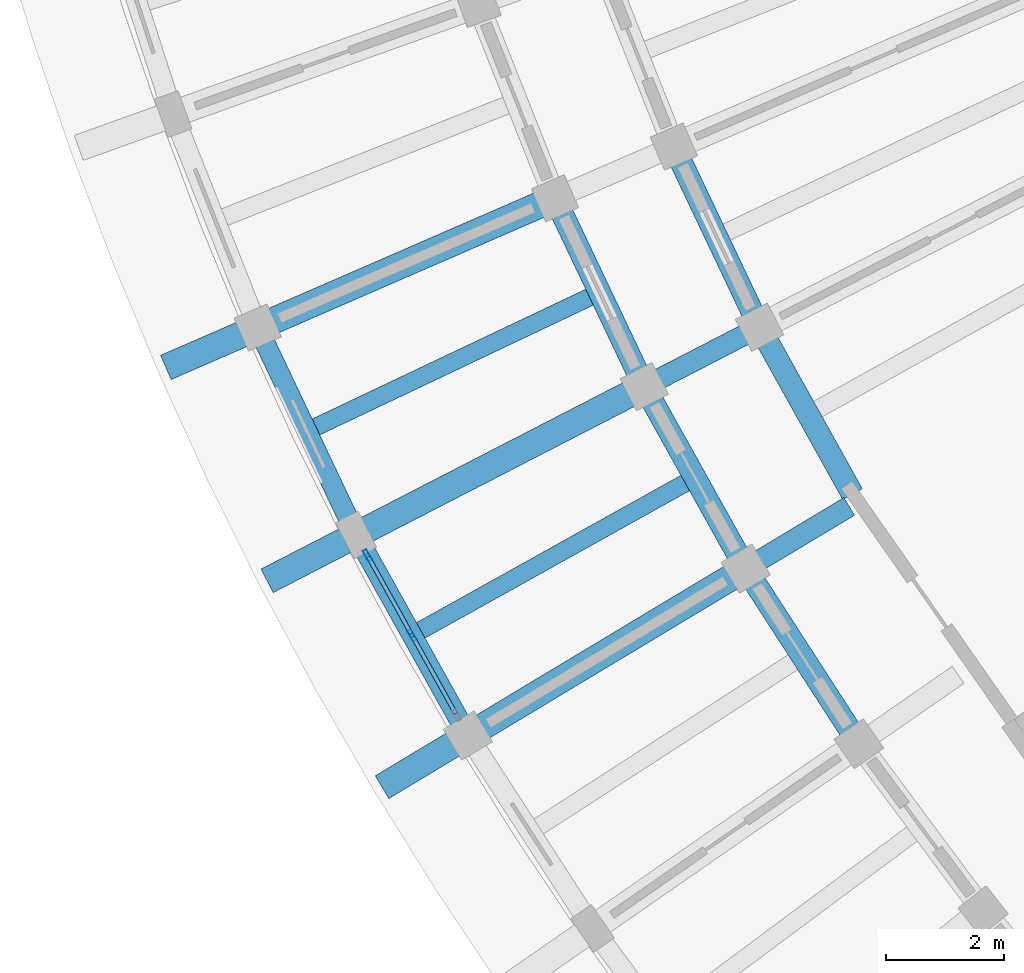
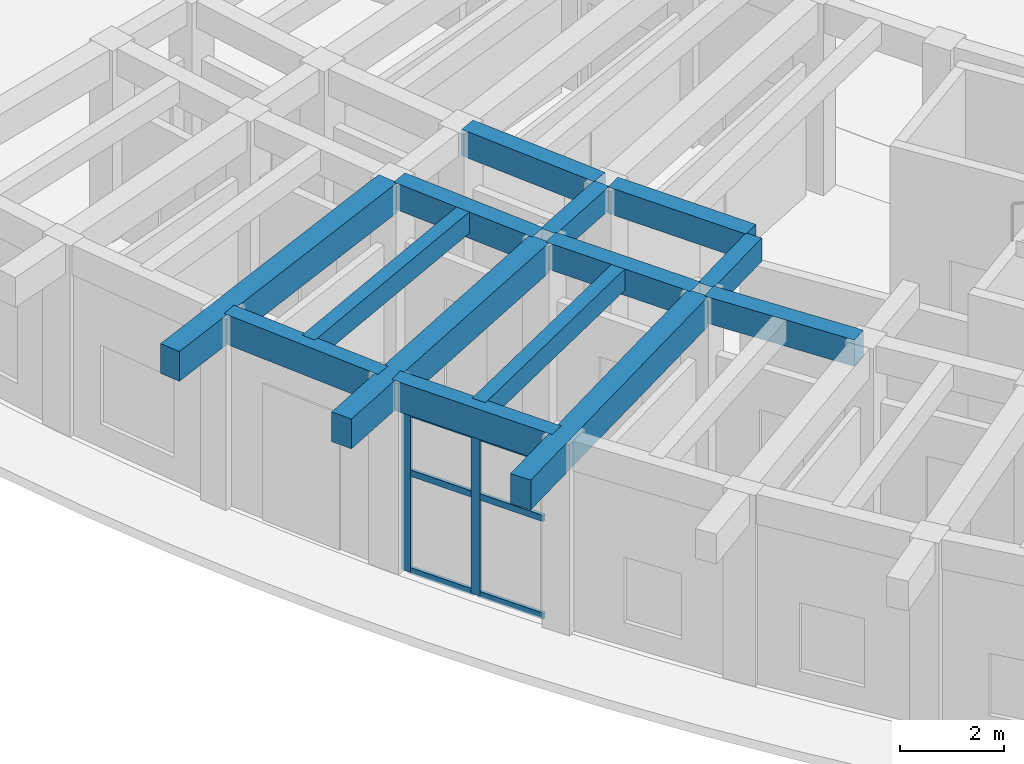
# One storey, part 14 of 132: 14 beams, 8 members, 1 element without a shape of its own.
"""IFC4 building model written with IfcOpenShell, lengths in metres."""

from ifc_helpers import new_model, si_unit, direction, frame, origin, origin_2d, place, context, subcontext, project, spatial, rectangle, hollow_rectangle, extrude, material, material_profile, profile_set, type_object, element, aggregate, save


model = new_model("IFC4")

# Units and contexts
model_context = context("Model", 3, precision=1e-05, world=origin(), true_north=direction((0.0, 1.0)))
body_context = subcontext(model_context, "Body", "Model", "MODEL_VIEW")
ifc_project = project(units=[si_unit("LENGTHUNIT", "METRE"), si_unit("AREAUNIT", "SQUARE_METRE"), si_unit("VOLUMEUNIT", "CUBIC_METRE"), si_unit("PLANEANGLEUNIT", "RADIAN"), si_unit("MASSUNIT", "GRAM", prefix="KILO")], contexts=[model_context])

# Site, building, storey
site_placement = place(None, origin())
site = spatial("IfcSite", under=ifc_project, at=site_placement, CompositionType="ELEMENT")
building_placement = place(site_placement, origin())
building = spatial("IfcBuilding", under=site, at=building_placement, Name="Tanwirah Colonnade Gardens", CompositionType="ELEMENT")
storey_placement = place(building_placement, origin())
storey = spatial("IfcBuildingStorey", under=building, at=storey_placement, Name="L00", CompositionType="ELEMENT", Elevation=0.0)

# Beams
ifc_material_1 = material(Name="Precast concrete C40/50", Category="concrete")
ifc_material_profile_1 = material_profile(ifc_material_1, rectangle(XDim=0.35009765625, YDim=0.550048828125, at=origin_2d()), Name="PC-BM 350x550")
ifc_profile_set_1 = profile_set([ifc_material_profile_1], Name="Precast concrete C40/50")
beam_type_1 = type_object("IfcBeamType", Name="BM-PC350A", PredefinedType="BEAM", material=ifc_profile_set_1)
for number, where, z_axis, x_axis, name in (
    (1, (18.77099609375, 40.690673828125, 4.2099609375), (-0.888965044602, -0.457975053334, 0.0), (0.457975053334, -0.888965044602, 0.0), "Block C L00 Corridor Tie Beam 3"),
    (2, (20.42724609375, 37.718017578125, 4.2099609375), (-0.857186654737, -0.515005863017, 0.0), (0.515005863017, -0.857186654737, 0.0), "Block C L00 Corridor Tie Beam 4"),
):
    element("IfcBeam", number, at=place(storey_placement, frame(where, z_axis=z_axis, x_axis=x_axis)), inside=storey, type_object=beam_type_1, Name=name, PredefinedType="BEAM", context=body_context, shape_type="SweptSolid", body=[
        extrude(rectangle(XDim=0.35009765625, YDim=0.550048828125, at=origin_2d()), origin(), (0.0, 0.0, 1.0), 1.89990234375),
    ])
ifc_material_profile_2 = material_profile(ifc_material_1, rectangle(XDim=0.3798828125, YDim=0.6201171875, at=origin_2d()), Name="PC-BM 380x620")
ifc_profile_set_2 = profile_set([ifc_material_profile_2], Name="Precast concrete C40/50")
beam_type_2 = type_object("IfcBeamType", Name="BM-PC380", PredefinedType="BEAM", material=ifc_profile_set_2)
beam_1_placement = place(storey_placement, frame((17.5146484375, 43.689453125, 4.175048828125), z_axis=(0.428520598641, -0.903532011907, 0.0), x_axis=(0.903532011907, 0.428520598641, 0.0)))
element("IfcBeam", 3, at=beam_1_placement, inside=storey, type_object=beam_type_2, Name="Block C L00 Circumferential Beam 2-R1", PredefinedType="BEAM", context=body_context, shape_type="SweptSolid", body=[
    extrude(rectangle(XDim=0.3798828125, YDim=0.6201171875, at=origin_2d()), origin(), (0.0, 0.0, 1.0), 3.093017578125),
])
beam_2_placement = place(storey_placement, frame((15.4970703125, 42.81201171875, 4.175048828125), z_axis=(0.428562893949, -0.903511951183, 0.0), x_axis=(0.903511951183, 0.428562893949, 0.0)))
element("IfcBeam", 4, at=beam_2_placement, inside=storey, type_object=beam_type_2, Name="Block C L00 Circumferential Beam 2-R2", PredefinedType="BEAM", context=body_context, shape_type="SweptSolid", body=[
    extrude(rectangle(XDim=0.3798828125, YDim=0.6201171875, at=origin_2d()), origin(), (0.0, 0.0, 1.0), 3.23681640625),
])
beam_3_placement = place(storey_placement, frame((18.9775390625, 40.628173828125, 4.175048828125), z_axis=(0.486708181837, -0.873564620239, 0.0), x_axis=(0.873564620239, 0.486708181837, 0.0)))
element("IfcBeam", 5, at=beam_3_placement, inside=storey, type_object=beam_type_2, Name="Block C L00 Circumferential Beam 3-R1", PredefinedType="BEAM", context=body_context, shape_type="SweptSolid", body=[
    extrude(rectangle(XDim=0.3798828125, YDim=0.6201171875, at=origin_2d()), origin(), (0.0, 0.0, 1.0), 3.093017578125),
])
for number, where, z_axis, x_axis, name in (
    (6, (17.021728515625, 39.620849609375, 4.175048828125), (0.486712025227, -0.873562478875, 0.0), (0.873562478875, 0.486712025227, 0.0), "Block C L00 Circumferential Beam 3-R2"),
    (7, (18.75146484375, 36.5361328125, 4.175048828125), (0.542825891173, -0.839845254718, 0.0), (0.839845254718, 0.542825891173, 0.0), "Block C L00 Circumferential Beam 4-R2"),
):
    element("IfcBeam", number, at=place(storey_placement, frame(where, z_axis=z_axis, x_axis=x_axis)), inside=storey, type_object=beam_type_2, Name=name, PredefinedType="BEAM", context=body_context, shape_type="SweptSolid", body=[
        extrude(rectangle(XDim=0.3798828125, YDim=0.6201171875, at=origin_2d()), origin(), (0.0, 0.0, 1.0), 3.23681640625),
    ])
ifc_material_2 = material(Name="Precast concrete C45/55", Category="concrete")
ifc_material_profile_3 = material_profile(ifc_material_2, rectangle(XDim=0.449951171875, YDim=0.699951171875, at=origin_2d()), Name="PC-BM 450x700")
ifc_profile_set_3 = profile_set([ifc_material_profile_3], Name="Precast concrete C45/55")
beam_type_3 = type_object("IfcBeamType", Name="BM-PC450", PredefinedType="BEAM", material=ifc_profile_set_3)
for number, where, z_axis, x_axis, name in (
    (8, (15.29541015625, 42.8876953125, 4.135009765625), (-0.91706895514, -0.398728643965, 0.0), (0.398728643965, -0.91706895514, 0.0), "Block C L00 Outer Radial Precast Girder 2"),
    (9, (16.815185546875, 39.683349609375, 4.135009765625), (-0.889016420099, -0.457875315774, 0.0), (0.457875315774, -0.889016420099, 0.0), "Block C L00 Outer Radial Precast Girder 3"),
    (10, (18.54150390625, 36.5849609375, 4.135009765625), (-0.857159687729, -0.515050744812, 0.0), (0.515050744812, -0.857159687729, 0.0), "Block C L00 Outer Radial Precast Girder 4"),
):
    element("IfcBeam", number, at=place(storey_placement, frame(where, z_axis=z_axis, x_axis=x_axis)), inside=storey, type_object=beam_type_3, Name=name, PredefinedType="BEAM", context=body_context, shape_type="SweptSolid", body=[
        extrude(rectangle(XDim=0.449951171875, YDim=0.699951171875, at=origin_2d()), origin(), (0.0, 0.0, 1.0), 7.050048828125),
    ])

# Curtain wall, members
ifc_material_3 = material(Name="Bronze-anodised aluminium and solar-control low-E glass", Category="aluminium")
curtain_wall_type = type_object("IfcCurtainWallType", Name="CW-LOB", PredefinedType="NOTDEFINED", material=ifc_material_3)
curtain_wall_placement = place(storey_placement, origin())
curtain_wall = element("IfcCurtainWall", 11, at=curtain_wall_placement, inside=storey, type_object=curtain_wall_type, Name="Curtain Wall CW-C-L00-OUT-03", PredefinedType="NOTDEFINED")
ifc_material_4 = material(Name="Bronze-anodised aluminium", Category="aluminium")
ifc_material_profile_4 = material_profile(ifc_material_4, hollow_rectangle(XDim=0.070068359375, YDim=0.199951171875, WallThickness=0.00390625, at=origin_2d()), Name="CW-MUL 70x200x4")
ifc_profile_set_4 = profile_set([ifc_material_profile_4], Name="Bronze-anodised aluminium")
member_type_1 = type_object("IfcMemberType", Name="CWM-70x200", PredefinedType="MULLION", material=ifc_profile_set_4)
member_1_placement = place(storey_placement, frame((12.251220703125, 36.888671875, 0.0), z_axis=(0.0, 0.0, 1.0), x_axis=(0.873560768318, 0.486715095364, 0.0)))
member_1 = element("IfcMember", 12, at=member_1_placement, type_object=member_type_1, Name="CW-LOB mullion 1", PredefinedType="MULLION", context=body_context, shape_type="SweptSolid", body=[
    extrude(hollow_rectangle(XDim=0.070068359375, YDim=0.199951171875, WallThickness=0.00390625, at=origin_2d()), origin(), (0.0, 0.0, 1.0), 3.7548828125),
])
member_2_placement = place(storey_placement, frame((13.00732421875, 35.531494140625, 0.0), z_axis=(0.0, 0.0, 1.0), x_axis=(0.873560768318, 0.486715095364, 0.0)))
member_2 = element("IfcMember", 13, at=member_2_placement, type_object=member_type_1, Name="CW-LOB mullion 2", PredefinedType="MULLION", context=body_context, shape_type="SweptSolid", body=[
    extrude(hollow_rectangle(XDim=0.070068359375, YDim=0.199951171875, WallThickness=0.00390625, at=origin_2d()), origin(), (0.0, 0.0, 1.0), 3.7548828125),
])
ifc_material_profile_5 = material_profile(ifc_material_4, hollow_rectangle(XDim=0.070068359375, YDim=0.14990234375, WallThickness=0.00390625, at=origin_2d()), Name="CW-TRN 70x150x4")
ifc_profile_set_5 = profile_set([ifc_material_profile_5], Name="Bronze-anodised aluminium")
member_type_2 = type_object("IfcMemberType", Name="CWT-70x150", PredefinedType="USERDEFINED", material=ifc_profile_set_5)
member_3_placement = place(storey_placement, frame((12.268310546875, 36.85791015625, 0.034912109375), z_axis=(0.486662685206, -0.873589967221, 0.0), x_axis=(0.873589967221, 0.486662685206, 0.0)))
member_3 = element("IfcMember", 14, at=member_3_placement, type_object=member_type_2, Name="CW-LOB transom 1.1", ObjectType="TRANSOM", PredefinedType="USERDEFINED", context=body_context, shape_type="SweptSolid", body=[
    extrude(hollow_rectangle(XDim=0.070068359375, YDim=0.14990234375, WallThickness=0.00390625, at=origin_2d()), origin(), (0.0, 0.0, 1.0), 1.4833984375),
])
member_4_placement = place(storey_placement, frame((12.268310546875, 36.85791015625, 2.328125), z_axis=(0.486662685206, -0.873589967221, 0.0), x_axis=(0.873589967221, 0.486662685206, 0.0)))
member_4 = element("IfcMember", 15, at=member_4_placement, type_object=member_type_2, Name="CW-LOB transom 1.2", ObjectType="TRANSOM", PredefinedType="USERDEFINED", context=body_context, shape_type="SweptSolid", body=[
    extrude(hollow_rectangle(XDim=0.070068359375, YDim=0.14990234375, WallThickness=0.00390625, at=origin_2d()), origin(), (0.0, 0.0, 1.0), 1.4833984375),
])
member_5_placement = place(storey_placement, frame((12.268310546875, 36.85791015625, 3.719970703125), z_axis=(0.486662685206, -0.873589967221, 0.0), x_axis=(0.873589967221, 0.486662685206, 0.0)))
member_5 = element("IfcMember", 16, at=member_5_placement, type_object=member_type_2, Name="CW-LOB transom 1.3", ObjectType="TRANSOM", PredefinedType="USERDEFINED", context=body_context, shape_type="SweptSolid", body=[
    extrude(hollow_rectangle(XDim=0.070068359375, YDim=0.14990234375, WallThickness=0.00390625, at=origin_2d()), origin(), (0.0, 0.0, 1.0), 1.4833984375),
])
member_6_placement = place(storey_placement, frame((13.0244140625, 35.5009765625, 0.034912109375), z_axis=(0.486662685206, -0.873589967221, 0.0), x_axis=(0.873589967221, 0.486662685206, 0.0)))
member_6 = element("IfcMember", 17, at=member_6_placement, type_object=member_type_2, Name="CW-LOB transom 2.1", ObjectType="TRANSOM", PredefinedType="USERDEFINED", context=body_context, shape_type="SweptSolid", body=[
    extrude(hollow_rectangle(XDim=0.070068359375, YDim=0.14990234375, WallThickness=0.00390625, at=origin_2d()), origin(), (0.0, 0.0, 1.0), 1.4833984375),
])
member_7_placement = place(storey_placement, frame((13.0244140625, 35.5009765625, 2.328125), z_axis=(0.486662685206, -0.873589967221, 0.0), x_axis=(0.873589967221, 0.486662685206, 0.0)))
member_7 = element("IfcMember", 18, at=member_7_placement, type_object=member_type_2, Name="CW-LOB transom 2.2", ObjectType="TRANSOM", PredefinedType="USERDEFINED", context=body_context, shape_type="SweptSolid", body=[
    extrude(hollow_rectangle(XDim=0.070068359375, YDim=0.14990234375, WallThickness=0.00390625, at=origin_2d()), origin(), (0.0, 0.0, 1.0), 1.4833984375),
])
member_8_placement = place(storey_placement, frame((13.0244140625, 35.5009765625, 3.719970703125), z_axis=(0.486662685206, -0.873589967221, 0.0), x_axis=(0.873589967221, 0.486662685206, 0.0)))
member_8 = element("IfcMember", 19, at=member_8_placement, type_object=member_type_2, Name="CW-LOB transom 2.3", ObjectType="TRANSOM", PredefinedType="USERDEFINED", context=body_context, shape_type="SweptSolid", body=[
    extrude(hollow_rectangle(XDim=0.070068359375, YDim=0.14990234375, WallThickness=0.00390625, at=origin_2d()), origin(), (0.0, 0.0, 1.0), 1.4833984375),
])
aggregate(curtain_wall, [member_1, member_2, member_3, member_4, member_5, member_6, member_7, member_8])

# Beams
ifc_material_profile_6 = material_profile(ifc_material_1, rectangle(XDim=0.300048828125, YDim=0.5, at=origin_2d()), Name="PC-JST 300x500")
ifc_profile_set_6 = profile_set([ifc_material_profile_6], Name="Precast concrete C40/50")
beam_type_4 = type_object("IfcBeamType", Name="JST-PC300", PredefinedType="JOIST", material=ifc_profile_set_6)
for number, where, z_axis, x_axis, name in (
    (20, (16.05615234375, 41.285888671875, 4.235107421875), (-0.903517509842, -0.428551174785, 0.0), (0.428551174785, -0.903517509842, 0.0), "Block C L00 Precast Floor Joist 2"),
    (21, (17.67919921875, 38.134521484375, 4.235107421875), (-0.87356769437, -0.486702664214, 0.0), (0.486702664214, -0.87356769437, 0.0), "Block C L00 Precast Floor Joist 3"),
):
    element("IfcBeam", number, at=place(storey_placement, frame(where, z_axis=z_axis, x_axis=x_axis)), inside=storey, type_object=beam_type_4, Name=name, PredefinedType="JOIST", context=body_context, shape_type="SweptSolid", body=[
        extrude(rectangle(XDim=0.300048828125, YDim=0.5, at=origin_2d()), origin(), (0.0, 0.0, 1.0), 5.260009765625),
    ])
ifc_material_profile_7 = material_profile(ifc_material_2, rectangle(XDim=0.340087890625, YDim=0.699951171875, at=origin_2d()), Name="PC-SP 340x700")
ifc_profile_set_7 = profile_set([ifc_material_profile_7], Name="Precast concrete C45/55")
beam_type_5 = type_object("IfcBeamType", Name="SP-PC340", PredefinedType="SPANDREL", material=ifc_profile_set_7)
for number, where, z_axis, x_axis, name in (
    (22, (10.453369140625, 40.618896484375, 4.135009765625), (0.428518139447, -0.903533178231, 0.0), (0.903533178231, 0.428518139447, 0.0), "Block C L00 Circumferential Beam 2-R3"),
    (23, (12.132080078125, 37.1025390625, 4.135009765625), (0.486679958674, -0.87358034423, 0.0), (0.87358034423, 0.486679958674, 0.0), "Block C L00 Circumferential Beam 3-R3"),
):
    element("IfcBeam", number, at=place(storey_placement, frame(where, z_axis=z_axis, x_axis=x_axis)), inside=storey, type_object=beam_type_5, Name=name, PredefinedType="SPANDREL", context=body_context, shape_type="SweptSolid", body=[
        extrude(rectangle(XDim=0.340087890625, YDim=0.699951171875, at=origin_2d()), origin(), (0.0, 0.0, 1.0), 3.5966796875),
    ])

save(model, "model.ifc")
